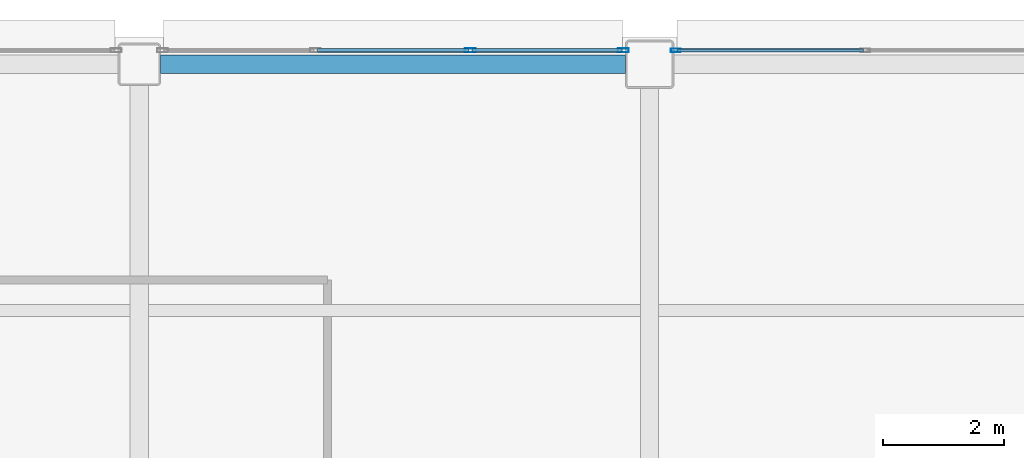
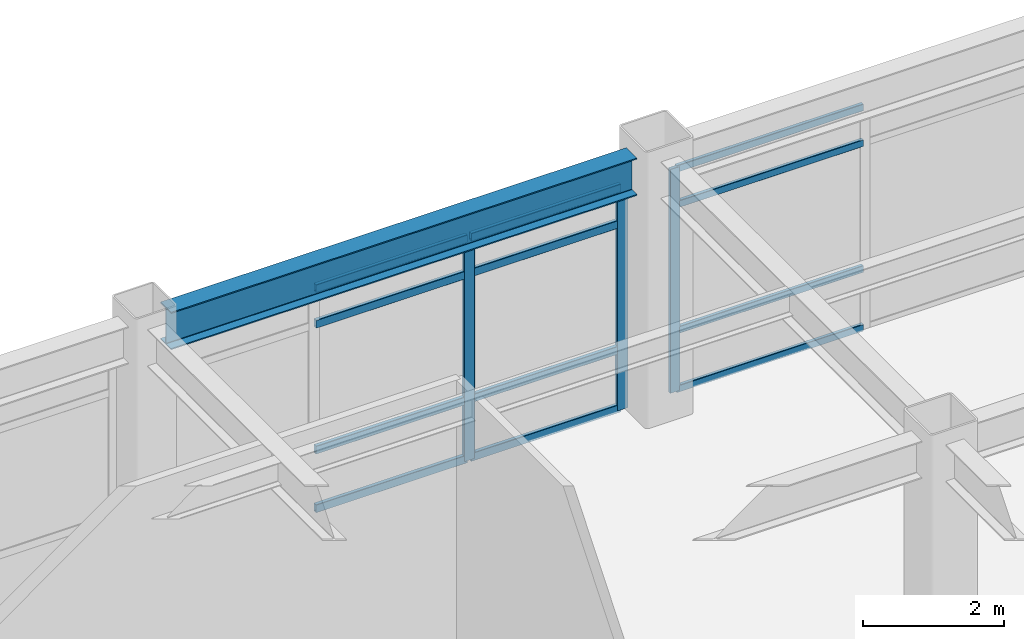
# One storey, part 111 of 154: 15 members, 1 beam, 2 elements without a shape of their own.
"""IFC4 building model written with IfcOpenShell, lengths in metres."""

from ifc_helpers import new_model, si_unit, direction, frame, origin, origin_2d, place, context, subcontext, project, spatial, hollow_rectangle, i_section, extrude, material, layer, layer_set, material_profile, profile_set, type_object, element, aggregate, save


model = new_model("IFC4")

# Units and contexts
model_context = context("Model", 3, precision=1e-05, world=origin(), true_north=direction((0.0, 1.0)))
body_context = subcontext(model_context, "Body", "Model", "MODEL_VIEW")
ifc_project = project(units=[si_unit("LENGTHUNIT", "METRE"), si_unit("AREAUNIT", "SQUARE_METRE"), si_unit("VOLUMEUNIT", "CUBIC_METRE"), si_unit("PLANEANGLEUNIT", "RADIAN"), si_unit("MASSUNIT", "GRAM", prefix="KILO")], contexts=[model_context])

# Site, building, storey
site_placement = place(None, origin())
site = spatial("IfcSite", under=ifc_project, at=site_placement, CompositionType="ELEMENT")
building_placement = place(site_placement, origin())
building = spatial("IfcBuilding", under=site, at=building_placement, Name="Kazehara Bluff Congress Hotel", CompositionType="ELEMENT")
storey_placement = place(building_placement, frame((0.0, 0.0, 10.199951171875)))
storey = spatial("IfcBuildingStorey", under=building, at=storey_placement, Name="L02", CompositionType="ELEMENT", Elevation=10.199951171875)

# Curtain wall, member
ifc_material_1 = material(Name="Anodised aluminium", Category="aluminium")
ifc_layer_1 = layer(ifc_material_1, 0.159912109375)
ifc_layer_set_1 = layer_set([ifc_layer_1], Name="Anodised aluminium")
curtain_wall_type_1 = type_object("IfcCurtainWallType", Name="TP-CW-112", PredefinedType="NOTDEFINED", material=ifc_layer_set_1)
curtain_wall_1_placement = place(storey_placement, origin())
curtain_wall_1 = element("IfcCurtainWall", 1, at=curtain_wall_1_placement, inside=storey, type_object=curtain_wall_type_1, Name="L02 curtain wall CW-112 CW-ENC-V5-L02-16405-11378", PredefinedType="NOTDEFINED")
ifc_material_2 = material(Name="Anodised aluminium", Category="aluminium")
ifc_material_profile_1 = material_profile(ifc_material_2, hollow_rectangle(XDim=0.06005859375, YDim=0.159912109375, WallThickness=0.00390625, InnerFilletRadius=0.00390625, OuterFilletRadius=0.008056640625, at=origin_2d()))
ifc_profile_set_1 = profile_set([ifc_material_profile_1], Name="Anodised aluminium")
member_type_1 = type_object("IfcMemberType", Name="TP-CWM-01", PredefinedType="MULLION", material=ifc_profile_set_1)
member_1_placement = place(storey_placement, frame((160.929931640625, 113.780029296875, 0.0), z_axis=(0.0, 0.0, 1.0), x_axis=(0.0, 1.0, 0.0)))
member_1 = element("IfcMember", 2, at=member_1_placement, type_object=member_type_1, Name="CW-112 mullion 1", PredefinedType="MULLION", context=body_context, shape_type="SweptSolid", body=[
    extrude(hollow_rectangle(XDim=0.06005859375, YDim=0.159912109375, WallThickness=0.00390625, InnerFilletRadius=0.00390625, OuterFilletRadius=0.008056640625, at=origin_2d()), origin(), (0.0, 0.0, 1.0), 3.885009765625),
])

# Curtain wall, members
ifc_material_3 = material(Name="Anodised aluminium", Category="aluminium")
ifc_layer_2 = layer(ifc_material_3, 0.159912109375)
ifc_layer_set_2 = layer_set([ifc_layer_2], Name="Anodised aluminium")
curtain_wall_type_2 = type_object("IfcCurtainWallType", Name="TP-CW-22", PredefinedType="NOTDEFINED", material=ifc_layer_set_2)
curtain_wall_2_placement = place(storey_placement, origin())
curtain_wall_2 = element("IfcCurtainWall", 3, at=curtain_wall_2_placement, inside=storey, type_object=curtain_wall_type_2, Name="L02 curtain wall CW-22 CW-ENC-V5-L02-15627-11378", PredefinedType="NOTDEFINED")
ifc_material_4 = material(Name="Anodised aluminium", Category="aluminium")
ifc_material_profile_2 = material_profile(ifc_material_4, hollow_rectangle(XDim=0.06494140625, YDim=0.179931640625, WallThickness=0.00390625, InnerFilletRadius=0.00390625, OuterFilletRadius=0.008056640625, at=origin_2d()))
ifc_profile_set_2 = profile_set([ifc_material_profile_2], Name="Anodised aluminium")
member_type_2 = type_object("IfcMemberType", Name="TP-CWM-02", PredefinedType="MULLION", material=ifc_profile_set_2)
member_2_placement = place(storey_placement, frame((157.550048828125, 113.780029296875, 0.0), z_axis=(0.0, 0.0, 1.0), x_axis=(0.0, 1.0, 0.0)))
member_2 = element("IfcMember", 4, at=member_2_placement, type_object=member_type_2, Name="CW-22 mullion 3", PredefinedType="MULLION", context=body_context, shape_type="SweptSolid", body=[
    extrude(hollow_rectangle(XDim=0.06494140625, YDim=0.179931640625, WallThickness=0.00390625, InnerFilletRadius=0.00390625, OuterFilletRadius=0.008056640625, at=origin_2d()), origin(), (0.0, 0.0, 1.0), 3.885009765625),
])
member_3_placement = place(storey_placement, frame((160.0673828125, 113.780029296875, 0.0), z_axis=(0.0, 0.0, 1.0), x_axis=(0.0, 1.0, 0.0)))
member_3 = element("IfcMember", 5, at=member_3_placement, type_object=member_type_2, Name="CW-22 mullion 4", PredefinedType="MULLION", context=body_context, shape_type="SweptSolid", body=[
    extrude(hollow_rectangle(XDim=0.06494140625, YDim=0.179931640625, WallThickness=0.00390625, InnerFilletRadius=0.00390625, OuterFilletRadius=0.008056640625, at=origin_2d()), origin(), (0.0, 0.0, 1.0), 3.885009765625),
])

# Member
ifc_material_5 = material(Name="Anodised aluminium", Category="aluminium")
ifc_material_profile_3 = material_profile(ifc_material_5, hollow_rectangle(XDim=0.06005859375, YDim=0.1201171875, WallThickness=0.00390625, InnerFilletRadius=0.00390625, OuterFilletRadius=0.008056640625, at=origin_2d()))
ifc_profile_set_3 = profile_set([ifc_material_profile_3], Name="Anodised aluminium")
member_type_3 = type_object("IfcMemberType", Name="TP-CWT-01", PredefinedType="USERDEFINED", material=ifc_profile_set_3)
member_4_placement = place(storey_placement, frame((160.9599609375, 113.780029296875, 0.030029296875), z_axis=(1.0, 0.0, 0.0), x_axis=(0.0, 1.0, 0.0)))
member_4 = element("IfcMember", 6, at=member_4_placement, type_object=member_type_3, Name="CW-112 transom 1.1", ObjectType="TRANSOM", PredefinedType="USERDEFINED", context=body_context, shape_type="SweptSolid", body=[
    extrude(hollow_rectangle(XDim=0.06005859375, YDim=0.1201171875, WallThickness=0.00390625, InnerFilletRadius=0.00390625, OuterFilletRadius=0.008056640625, at=origin_2d()), origin(), (0.0, 0.0, 1.0), 3.06005859375),
])

member_5_placement = place(storey_placement, frame((160.9599609375, 113.780029296875, 1.050048828125), z_axis=(1.0, 0.0, 0.0), x_axis=(0.0, 1.0, 0.0)))
member_5 = element("IfcMember", 7, at=member_5_placement, type_object=member_type_3, Name="CW-112 transom 1.2", ObjectType="TRANSOM", PredefinedType="USERDEFINED", context=body_context, shape_type="SweptSolid", body=[
    extrude(hollow_rectangle(XDim=0.06005859375, YDim=0.1201171875, WallThickness=0.00390625, InnerFilletRadius=0.00390625, OuterFilletRadius=0.008056640625, at=origin_2d()), origin(), (0.0, 0.0, 1.0), 3.06005859375),
])

member_6_placement = place(storey_placement, frame((160.9599609375, 113.780029296875, 3.235107421875), z_axis=(1.0, 0.0, 0.0), x_axis=(0.0, 1.0, 0.0)))
member_6 = element("IfcMember", 8, at=member_6_placement, type_object=member_type_3, Name="CW-112 transom 1.3", ObjectType="TRANSOM", PredefinedType="USERDEFINED", context=body_context, shape_type="SweptSolid", body=[
    extrude(hollow_rectangle(XDim=0.06005859375, YDim=0.1201171875, WallThickness=0.00390625, InnerFilletRadius=0.00390625, OuterFilletRadius=0.008056640625, at=origin_2d()), origin(), (0.0, 0.0, 1.0), 3.06005859375),
])

member_7_placement = place(storey_placement, frame((160.9599609375, 113.780029296875, 3.85498046875), z_axis=(1.0, 0.0, 0.0), x_axis=(0.0, 1.0, 0.0)))
member_7 = element("IfcMember", 9, at=member_7_placement, type_object=member_type_3, Name="CW-112 transom 1.4", ObjectType="TRANSOM", PredefinedType="USERDEFINED", context=body_context, shape_type="SweptSolid", body=[
    extrude(hollow_rectangle(XDim=0.06005859375, YDim=0.1201171875, WallThickness=0.00390625, InnerFilletRadius=0.00390625, OuterFilletRadius=0.008056640625, at=origin_2d()), origin(), (0.0, 0.0, 1.0), 3.06005859375),
])

aggregate(curtain_wall_1, [member_1, member_4, member_5, member_6, member_7])

ifc_material_6 = material(Name="Anodised aluminium", Category="aluminium")
ifc_material_profile_4 = material_profile(ifc_material_6, hollow_rectangle(XDim=0.06494140625, YDim=0.139892578125, WallThickness=0.00390625, InnerFilletRadius=0.00390625, OuterFilletRadius=0.008056640625, at=origin_2d()))
ifc_profile_set_4 = profile_set([ifc_material_profile_4], Name="Anodised aluminium")
member_type_4 = type_object("IfcMemberType", Name="TP-CWT-02", PredefinedType="USERDEFINED", material=ifc_profile_set_4)
member_8_placement = place(storey_placement, frame((155.032470703125, 113.780029296875, 0.032470703125), z_axis=(1.0, 0.0, 0.0), x_axis=(0.0, 1.0, 0.0)))
member_8 = element("IfcMember", 10, at=member_8_placement, type_object=member_type_4, Name="CW-22 transom 2.1", ObjectType="TRANSOM", PredefinedType="USERDEFINED", context=body_context, shape_type="SweptSolid", body=[
    extrude(hollow_rectangle(XDim=0.06494140625, YDim=0.139892578125, WallThickness=0.00390625, InnerFilletRadius=0.00390625, OuterFilletRadius=0.008056640625, at=origin_2d()), origin(), (0.0, 0.0, 1.0), 2.485107421875),
])

member_9_placement = place(storey_placement, frame((155.032470703125, 113.780029296875, 1.050048828125), z_axis=(1.0, 0.0, 0.0), x_axis=(0.0, 1.0, 0.0)))
member_9 = element("IfcMember", 11, at=member_9_placement, type_object=member_type_4, Name="CW-22 transom 2.2", ObjectType="TRANSOM", PredefinedType="USERDEFINED", context=body_context, shape_type="SweptSolid", body=[
    extrude(hollow_rectangle(XDim=0.06494140625, YDim=0.139892578125, WallThickness=0.00390625, InnerFilletRadius=0.00390625, OuterFilletRadius=0.008056640625, at=origin_2d()), origin(), (0.0, 0.0, 1.0), 2.485107421875),
])

member_10_placement = place(storey_placement, frame((155.032470703125, 113.780029296875, 3.235107421875), z_axis=(1.0, 0.0, 0.0), x_axis=(0.0, 1.0, 0.0)))
member_10 = element("IfcMember", 12, at=member_10_placement, type_object=member_type_4, Name="CW-22 transom 2.3", ObjectType="TRANSOM", PredefinedType="USERDEFINED", context=body_context, shape_type="SweptSolid", body=[
    extrude(hollow_rectangle(XDim=0.06494140625, YDim=0.139892578125, WallThickness=0.00390625, InnerFilletRadius=0.00390625, OuterFilletRadius=0.008056640625, at=origin_2d()), origin(), (0.0, 0.0, 1.0), 2.485107421875),
])

member_11_placement = place(storey_placement, frame((155.032470703125, 113.780029296875, 3.8525390625), z_axis=(1.0, 0.0, 0.0), x_axis=(0.0, 1.0, 0.0)))
member_11 = element("IfcMember", 13, at=member_11_placement, type_object=member_type_4, Name="CW-22 transom 2.4", ObjectType="TRANSOM", PredefinedType="USERDEFINED", context=body_context, shape_type="SweptSolid", body=[
    extrude(hollow_rectangle(XDim=0.06494140625, YDim=0.139892578125, WallThickness=0.00390625, InnerFilletRadius=0.00390625, OuterFilletRadius=0.008056640625, at=origin_2d()), origin(), (0.0, 0.0, 1.0), 2.485107421875),
])

member_12_placement = place(storey_placement, frame((157.58251953125, 113.780029296875, 0.032470703125), z_axis=(1.0, 0.0, 0.0), x_axis=(0.0, 1.0, 0.0)))
member_12 = element("IfcMember", 14, at=member_12_placement, type_object=member_type_4, Name="CW-22 transom 3.1", ObjectType="TRANSOM", PredefinedType="USERDEFINED", context=body_context, shape_type="SweptSolid", body=[
    extrude(hollow_rectangle(XDim=0.06494140625, YDim=0.139892578125, WallThickness=0.00390625, InnerFilletRadius=0.00390625, OuterFilletRadius=0.008056640625, at=origin_2d()), origin(), (0.0, 0.0, 1.0), 2.452392578125),
])

member_13_placement = place(storey_placement, frame((157.58251953125, 113.780029296875, 1.050048828125), z_axis=(1.0, 0.0, 0.0), x_axis=(0.0, 1.0, 0.0)))
member_13 = element("IfcMember", 15, at=member_13_placement, type_object=member_type_4, Name="CW-22 transom 3.2", ObjectType="TRANSOM", PredefinedType="USERDEFINED", context=body_context, shape_type="SweptSolid", body=[
    extrude(hollow_rectangle(XDim=0.06494140625, YDim=0.139892578125, WallThickness=0.00390625, InnerFilletRadius=0.00390625, OuterFilletRadius=0.008056640625, at=origin_2d()), origin(), (0.0, 0.0, 1.0), 2.452392578125),
])

member_14_placement = place(storey_placement, frame((157.58251953125, 113.780029296875, 3.235107421875), z_axis=(1.0, 0.0, 0.0), x_axis=(0.0, 1.0, 0.0)))
member_14 = element("IfcMember", 16, at=member_14_placement, type_object=member_type_4, Name="CW-22 transom 3.3", ObjectType="TRANSOM", PredefinedType="USERDEFINED", context=body_context, shape_type="SweptSolid", body=[
    extrude(hollow_rectangle(XDim=0.06494140625, YDim=0.139892578125, WallThickness=0.00390625, InnerFilletRadius=0.00390625, OuterFilletRadius=0.008056640625, at=origin_2d()), origin(), (0.0, 0.0, 1.0), 2.452392578125),
])

member_15_placement = place(storey_placement, frame((157.58251953125, 113.780029296875, 3.8525390625), z_axis=(1.0, 0.0, 0.0), x_axis=(0.0, 1.0, 0.0)))
member_15 = element("IfcMember", 17, at=member_15_placement, type_object=member_type_4, Name="CW-22 transom 3.4", ObjectType="TRANSOM", PredefinedType="USERDEFINED", context=body_context, shape_type="SweptSolid", body=[
    extrude(hollow_rectangle(XDim=0.06494140625, YDim=0.139892578125, WallThickness=0.00390625, InnerFilletRadius=0.00390625, OuterFilletRadius=0.008056640625, at=origin_2d()), origin(), (0.0, 0.0, 1.0), 2.452392578125),
])

aggregate(curtain_wall_2, [member_2, member_3, member_8, member_9, member_10, member_11, member_12, member_13, member_14, member_15])

# Beam
ifc_material_7 = material(Name="Steel SN490B", Category="steel")
ifc_material_profile_5 = material_profile(ifc_material_7, i_section(OverallWidth=0.300048828125, OverallDepth=0.64990234375, WebThickness=0.011962890625, FlangeThickness=0.02001953125, FilletRadius=0.012939453125, at=origin_2d()))
ifc_profile_set_5 = profile_set([ifc_material_profile_5], Name="Steel SN490B")
beam_type = type_object("IfcBeamType", Name="TP-G-03", PredefinedType="BEAM", material=ifc_profile_set_5)
beam_placement = place(storey_placement, frame((152.449951171875, 113.550048828125, 4.235107421875), z_axis=(1.0, 0.0, 0.0), x_axis=(0.0, 1.0, 0.0)))
element("IfcBeam", 18, at=beam_placement, inside=storey, type_object=beam_type, Name="L02 girder G-03 226", PredefinedType="BEAM", context=body_context, shape_type="SweptSolid", body=[
    extrude(i_section(OverallWidth=0.300048828125, OverallDepth=0.64990234375, WebThickness=0.011962890625, FlangeThickness=0.02001953125, FilletRadius=0.012939453125, at=origin_2d()), origin(), (0.0, 0.0, 1.0), 7.650146484375),
])

save(model, "model.ifc")
